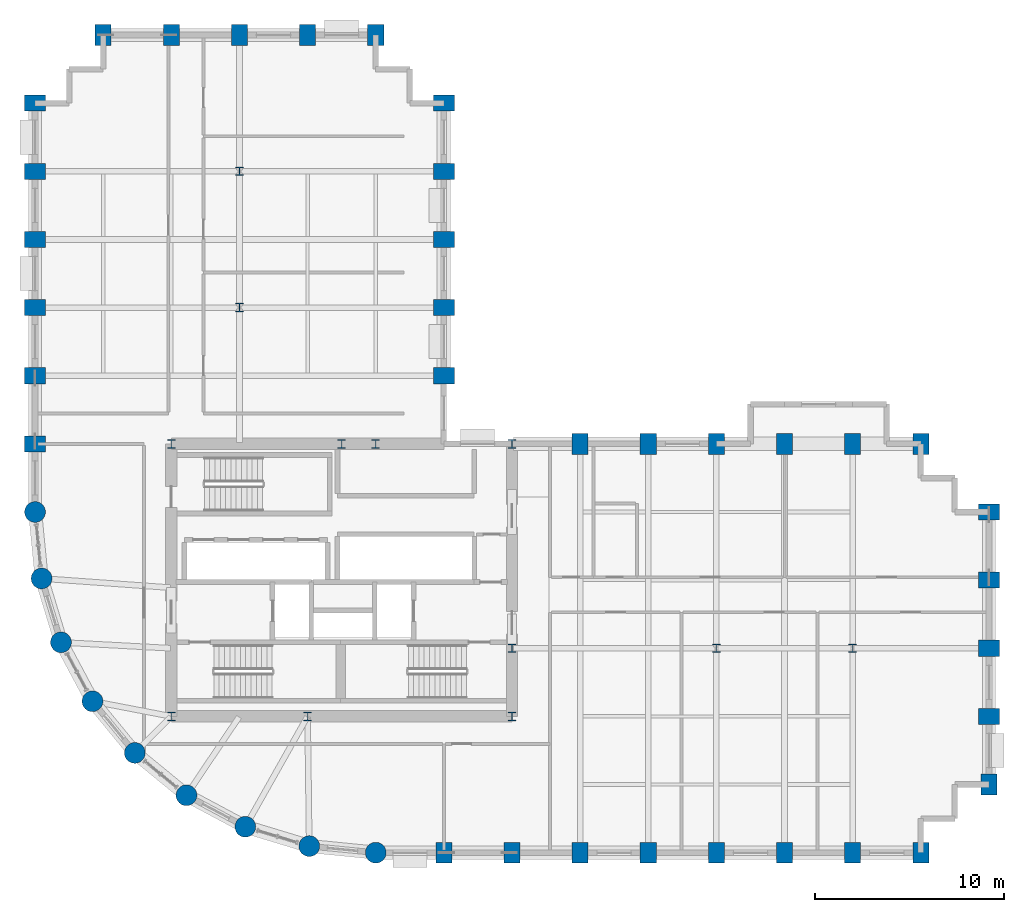
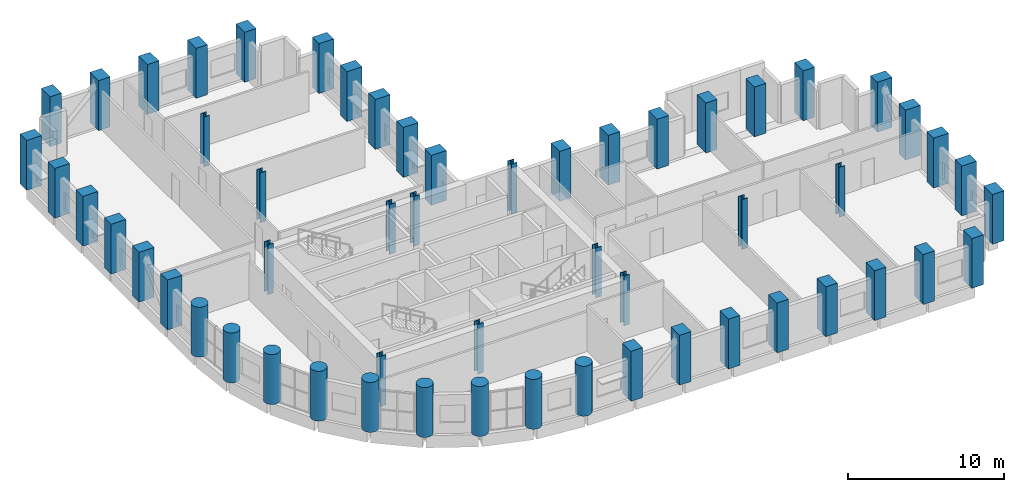
# One storey, part 1 of 13: 56 columns.
"""IFC4 building model written with IfcOpenShell, lengths in metres."""

from ifc_helpers import new_model, si_unit, direction, frame, origin, origin_2d, place, context, subcontext, project, spatial, rectangle, circle, i_section, extrude, material, material_profile, profile_set, type_object, element, save


model = new_model("IFC4")

# Units and contexts
model_context = context("Model", 3, precision=1e-05, world=origin(), true_north=direction((0.0, 1.0)))
body_context = subcontext(model_context, "Body", "Model", "MODEL_VIEW")
ifc_project = project(units=[si_unit("LENGTHUNIT", "METRE"), si_unit("AREAUNIT", "SQUARE_METRE"), si_unit("VOLUMEUNIT", "CUBIC_METRE"), si_unit("PLANEANGLEUNIT", "RADIAN"), si_unit("MASSUNIT", "GRAM", prefix="KILO")], contexts=[model_context])

# Site, building, storey
site_placement = place(None, origin())
site = spatial("IfcSite", under=ifc_project, at=site_placement, CompositionType="ELEMENT")
building_placement = place(site_placement, origin())
building = spatial("IfcBuilding", under=site, at=building_placement, Name="Solnavia Interchange Tower", CompositionType="ELEMENT")
storey_placement = place(building_placement, frame((0.0, 0.0, 111.300048828125)))
storey = spatial("IfcBuildingStorey", under=building, at=storey_placement, Name="L27", CompositionType="ELEMENT", Elevation=111.300048828125)

# Columns
ifc_material_1 = material(Name="Concrete C50/60", Category="concrete")
ifc_material_profile_1 = material_profile(ifc_material_1, rectangle(XDim=0.85009765625, YDim=1.10009765625, at=origin_2d()), Name="RC 1100x850")
ifc_profile_set_1 = profile_set([ifc_material_profile_1], Name="Concrete C50/60")
column_type_1 = type_object("IfcColumnType", Name="Col-RC-1100x850", PredefinedType="COLUMN", material=ifc_profile_set_1)
for number, where, z_axis, x_axis, name in (
    (1, (7.199951171875, 25.199951171875, 0.0), (0.0, 0.0, 1.0), (0.0, 1.0, 0.0), "COL-L27-02 Tower perim y column"),
    (2, (7.199951171875, 28.800048828125, 0.0), (0.0, 0.0, 1.0), (0.0, 1.0, 0.0), "COL-L27-03 Tower perim y column"),
    (3, (7.199951171875, 32.39990234375, 0.0), (0.0, 0.0, 1.0), (0.0, 1.0, 0.0), "COL-L27-04 Tower perim y column"),
    (4, (7.199951171875, 36.0, 0.0), (0.0, 0.0, 1.0), (0.0, 1.0, 0.0), "COL-L27-05 Tower perim y column"),
    (5, (7.199951171875, 39.60009765625, 0.0), (0.0, 0.0, 1.0), (0.0, 1.0, 0.0), "COL-L27-06 Tower perim y column"),
    (6, (7.199951171875, 43.199951171875, 0.0), (0.0, 0.0, 1.0), (0.0, 1.0, 0.0), "COL-L27-07 Tower corner column"),
    (7, (10.800048828125, 46.800048828125, 0.0), (0.0, 0.0, 1.0), (1.0, 0.0, 0.0), "COL-L27-11 Tower corner column"),
    (8, (14.39990234375, 46.800048828125, 0.0), (0.0, 0.0, 1.0), (1.0, 0.0, 0.0), "COL-L27-15 Tower perim x column"),
    (9, (18.0, 46.800048828125, 0.0), (0.0, 0.0, 1.0), (1.0, 0.0, 0.0), "COL-L27-19 Tower perim x column"),
    (10, (21.60009765625, 46.800048828125, 0.0), (0.0, 0.0, 1.0), (1.0, 0.0, 0.0), "COL-L27-22 Tower perim x column"),
    (11, (25.199951171875, 46.800048828125, 0.0), (0.0, 0.0, 1.0), (1.0, 0.0, 0.0), "COL-L27-27 Tower corner column"),
    (12, (28.800048828125, 3.60009765625, 0.0), (0.0, 0.0, 1.0), (1.0, 0.0, 0.0), "COL-L27-28 Tower perim x column"),
    (13, (28.800048828125, 28.800048828125, 0.0), (0.0, 0.0, 1.0), (0.0, 1.0, 0.0), "COL-L27-29 Tower perim y column"),
    (14, (28.800048828125, 32.39990234375, 0.0), (0.0, 0.0, 1.0), (0.0, 1.0, 0.0), "COL-L27-30 Tower perim y column"),
    (15, (28.800048828125, 36.0, 0.0), (0.0, 0.0, 1.0), (0.0, 1.0, 0.0), "COL-L27-31 Tower perim y column"),
    (16, (28.800048828125, 39.60009765625, 0.0), (0.0, 0.0, 1.0), (0.0, 1.0, 0.0), "COL-L27-32 Tower perim y column"),
    (17, (28.800048828125, 43.199951171875, 0.0), (0.0, 0.0, 1.0), (0.0, 1.0, 0.0), "COL-L27-33 Tower corner column"),
    (18, (32.39990234375, 3.60009765625, 0.0), (0.0, 0.0, 1.0), (1.0, 0.0, 0.0), "COL-L27-34 Tower perim x column"),
    (19, (36.0, 3.60009765625, 0.0), (0.0, 0.0, 1.0), (1.0, 0.0, 0.0), "COL-L27-38 Tower perim x column"),
    (20, (36.0, 25.199951171875, 0.0), (0.0, 0.0, 1.0), (1.0, 0.0, 0.0), "COL-L27-39 Tower perim x column"),
    (21, (39.60009765625, 3.60009765625, 0.0), (0.0, 0.0, 1.0), (1.0, 0.0, 0.0), "COL-L27-40 Tower perim x column"),
    (22, (39.60009765625, 25.199951171875, 0.0), (0.0, 0.0, 1.0), (1.0, 0.0, 0.0), "COL-L27-41 Tower perim x column"),
    (23, (43.199951171875, 3.60009765625, 0.0), (0.0, 0.0, 1.0), (1.0, 0.0, 0.0), "COL-L27-42 Tower perim x column"),
    (24, (43.199951171875, 25.199951171875, 0.0), (0.0, 0.0, 1.0), (1.0, 0.0, 0.0), "COL-L27-44 Tower perim x column"),
    (25, (46.800048828125, 3.60009765625, 0.0), (0.0, 0.0, 1.0), (1.0, 0.0, 0.0), "COL-L27-45 Tower perim x column"),
    (26, (46.800048828125, 25.199951171875, 0.0), (0.0, 0.0, 1.0), (1.0, 0.0, 0.0), "COL-L27-46 Tower perim x column"),
    (27, (50.39990234375, 3.60009765625, 0.0), (0.0, 0.0, 1.0), (1.0, 0.0, 0.0), "COL-L27-47 Tower perim x column"),
    (28, (50.39990234375, 25.199951171875, 0.0), (0.0, 0.0, 1.0), (1.0, 0.0, 0.0), "COL-L27-49 Tower perim x column"),
    (29, (54.0, 3.60009765625, 0.0), (0.0, 0.0, 1.0), (1.0, 0.0, 0.0), "COL-L27-50 Tower corner column"),
    (30, (54.0, 25.199951171875, 0.0), (0.0, 0.0, 1.0), (1.0, 0.0, 0.0), "COL-L27-51 Tower corner column"),
    (31, (57.60009765625, 7.199951171875, 0.0), (0.0, 0.0, 1.0), (1.0, 0.0, 0.0), "COL-L27-52 Tower corner column"),
    (32, (57.60009765625, 10.800048828125, 0.0), (0.0, 0.0, 1.0), (0.0, 1.0, 0.0), "COL-L27-53 Tower perim y column"),
    (33, (57.60009765625, 14.39990234375, 0.0), (0.0, 0.0, 1.0), (0.0, 1.0, 0.0), "COL-L27-54 Tower perim y column"),
    (34, (57.60009765625, 18.0, 0.0), (0.0, 0.0, 1.0), (0.0, 1.0, 0.0), "COL-L27-55 Tower perim y column"),
    (35, (57.60009765625, 21.60009765625, 0.0), (0.0, 0.0, 1.0), (0.0, 1.0, 0.0), "COL-L27-56 Tower corner column"),
):
    element("IfcColumn", number, at=place(storey_placement, frame(where, z_axis=z_axis, x_axis=x_axis)), inside=storey, type_object=column_type_1, Name=name, PredefinedType="COLUMN", context=body_context, shape_type="SweptSolid", body=[
        extrude(rectangle(XDim=0.85009765625, YDim=1.10009765625, at=origin_2d()), origin(), (0.0, 0.0, 1.0), 3.89990234375),
    ])
ifc_material_2 = material(Name="Concrete C60/75", Category="concrete")
ifc_material_profile_2 = material_profile(ifc_material_2, circle(Radius=0.550048828125, at=origin_2d()), Name="RC D1100")
ifc_profile_set_2 = profile_set([ifc_material_profile_2], Name="Concrete C60/75")
column_type_2 = type_object("IfcColumnType", Name="Col-RC-D1100", PredefinedType="COLUMN", material=ifc_profile_set_2)
for number, where, z_axis, x_axis, name in (
    (36, (7.199951171875, 21.60009765625, 0.0), (0.0, 0.0, 1.0), (1.0, 0.0, 0.0), "COL-L27-01 Tower drum column"),
    (37, (7.5458984375, 18.087890625, 0.0), (0.0, 0.0, 1.0), (1.0, 0.0, 0.0), "COL-L27-08 Tower drum column"),
    (38, (8.570068359375, 14.7119140625, 0.0), (0.0, 0.0, 1.0), (1.0, 0.0, 0.0), "COL-L27-09 Tower drum column"),
    (39, (10.23388671875, 11.60009765625, 0.0), (0.0, 0.0, 1.0), (1.0, 0.0, 0.0), "COL-L27-10 Tower drum column"),
    (40, (12.471923828125, 8.8720703125, 0.0), (0.0, 0.0, 1.0), (1.0, 0.0, 0.0), "COL-L27-12 Tower drum column"),
    (41, (15.199951171875, 6.634033203125, 0.0), (0.0, 0.0, 1.0), (1.0, 0.0, 0.0), "COL-L27-16 Tower drum column"),
    (42, (18.31201171875, 4.969970703125, 0.0), (0.0, 0.0, 1.0), (1.0, 0.0, 0.0), "COL-L27-20 Tower drum column"),
    (43, (21.68798828125, 3.946044921875, 0.0), (0.0, 0.0, 1.0), (1.0, 0.0, 0.0), "COL-L27-23 Tower drum column"),
    (44, (25.199951171875, 3.60009765625, 0.0), (0.0, 0.0, 1.0), (1.0, 0.0, 0.0), "COL-L27-25 Tower drum column"),
):
    element("IfcColumn", number, at=place(storey_placement, frame(where, z_axis=z_axis, x_axis=x_axis)), inside=storey, type_object=column_type_2, Name=name, PredefinedType="COLUMN", context=body_context, shape_type="SweptSolid", body=[
        extrude(circle(Radius=0.550048828125, at=origin_2d()), origin(), (0.0, 0.0, 1.0), 3.89990234375),
    ])
ifc_material_3 = material(Name="Steel S355", Category="steel")
ifc_material_profile_3 = material_profile(ifc_material_3, i_section(OverallWidth=0.424072265625, OverallDepth=0.467041015625, WebThickness=0.032958984375, FlangeThickness=0.053466796875, FilletRadius=0.014892578125, at=origin_2d()), Name="HD 400x509")
ifc_profile_set_3 = profile_set([ifc_material_profile_3], Name="Steel S355")
column_type_3 = type_object("IfcColumnType", Name="Col-Steel-HD400x509", PredefinedType="COLUMN", material=ifc_profile_set_3)
for number, where, z_axis, x_axis, name in (
    (45, (14.39990234375, 10.800048828125, 0.0), (0.0, 0.0, 1.0), (1.0, 0.0, 0.0), "COL-L27-13 Tower interior column"),
    (46, (14.39990234375, 25.199951171875, 0.0), (0.0, 0.0, 1.0), (1.0, 0.0, 0.0), "COL-L27-14 Tower interior column"),
    (47, (18.0, 32.39990234375, 0.0), (0.0, 0.0, 1.0), (1.0, 0.0, 0.0), "COL-L27-17 Tower interior column"),
    (48, (18.0, 39.60009765625, 0.0), (0.0, 0.0, 1.0), (1.0, 0.0, 0.0), "COL-L27-18 Tower interior column"),
    (49, (21.60009765625, 10.800048828125, 0.0), (0.0, 0.0, 1.0), (1.0, 0.0, 0.0), "COL-L27-21 Tower interior column"),
    (50, (23.39990234375, 25.199951171875, 0.0), (0.0, 0.0, 1.0), (1.0, 0.0, 0.0), "COL-L27-24 Tower interior column"),
    (51, (25.199951171875, 25.199951171875, 0.0), (0.0, 0.0, 1.0), (1.0, 0.0, 0.0), "COL-L27-26 Tower interior column"),
    (52, (32.39990234375, 10.800048828125, 0.0), (0.0, 0.0, 1.0), (1.0, 0.0, 0.0), "COL-L27-35 Tower interior column"),
    (53, (32.39990234375, 14.39990234375, 0.0), (0.0, 0.0, 1.0), (1.0, 0.0, 0.0), "COL-L27-36 Tower interior column"),
    (54, (32.39990234375, 25.199951171875, 0.0), (0.0, 0.0, 1.0), (1.0, 0.0, 0.0), "COL-L27-37 Tower interior column"),
    (55, (43.199951171875, 14.39990234375, 0.0), (0.0, 0.0, 1.0), (1.0, 0.0, 0.0), "COL-L27-43 Tower interior column"),
    (56, (50.39990234375, 14.39990234375, 0.0), (0.0, 0.0, 1.0), (1.0, 0.0, 0.0), "COL-L27-48 Tower interior column"),
):
    element("IfcColumn", number, at=place(storey_placement, frame(where, z_axis=z_axis, x_axis=x_axis)), inside=storey, type_object=column_type_3, Name=name, PredefinedType="COLUMN", context=body_context, shape_type="SweptSolid", body=[
        extrude(i_section(OverallWidth=0.424072265625, OverallDepth=0.467041015625, WebThickness=0.032958984375, FlangeThickness=0.053466796875, FilletRadius=0.014892578125, at=origin_2d()), origin(), (0.0, 0.0, 1.0), 3.89990234375),
    ])

save(model, "model.ifc")
